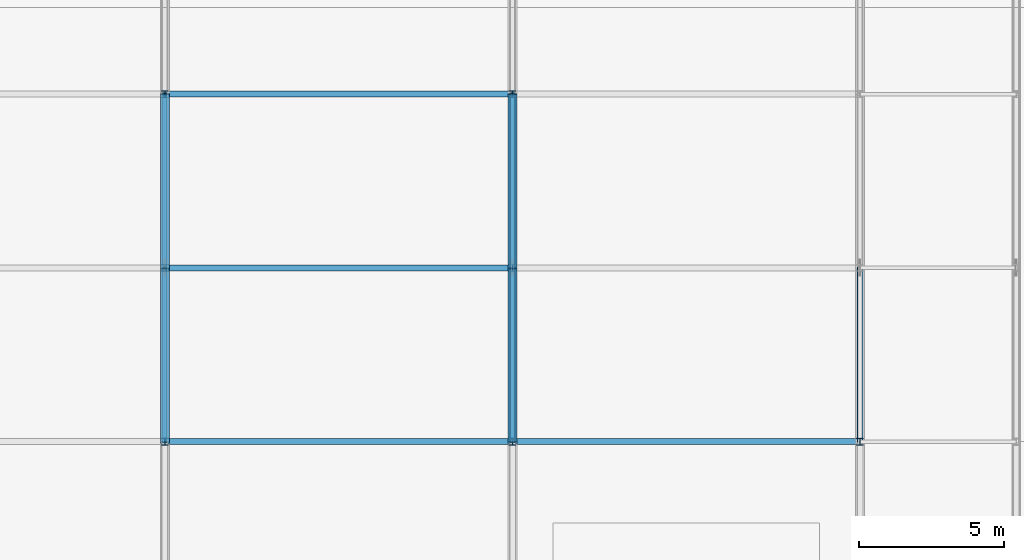
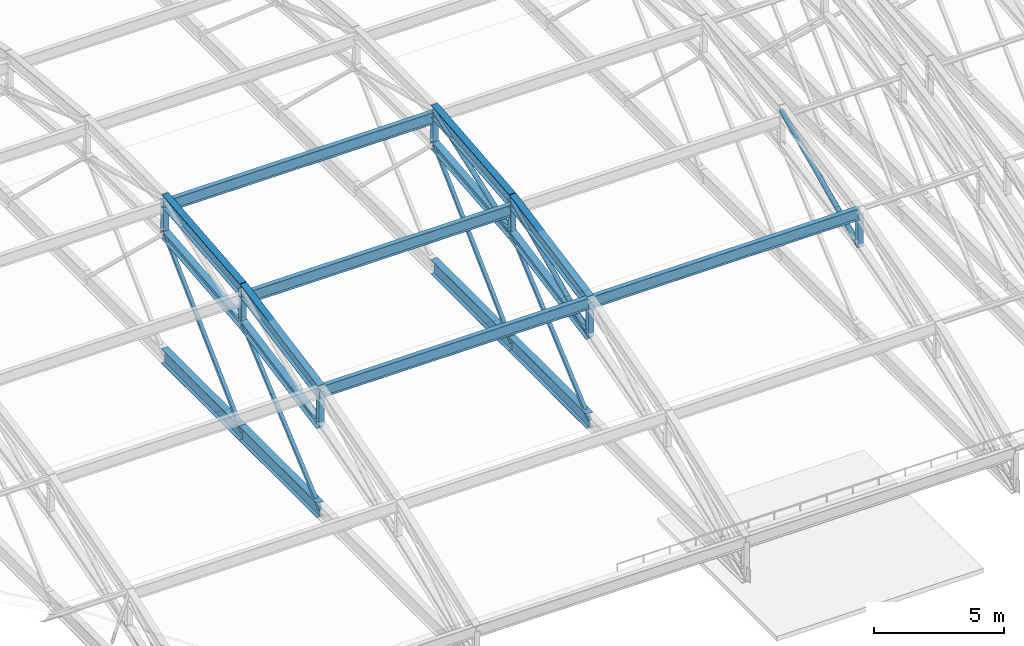
# One storey, part 86 of 204: 30 members.
"""IFC4 building model written with IfcOpenShell, lengths in metres."""

import ifcopenshell
import ifcopenshell.guid

model = None  # the IFC model being written
_history = None  # IfcOwnerHistory: only IFC2X3 demands one
_inside = {}  # id of a spatial element -> (the spatial element, [elements in it])
_under = {}  # id of a project, library or spatial element -> (it, [spatial elements below it])
_declared = {}  # id of a project -> (the project, [libraries it declares])
_typed = {}  # id of a type object -> (the type object, [elements of that type])
_made_of = {}  # id of a material, layer set ... -> (it, [elements and type objects made of it])


def new_model(schema):
    """Start an empty IFC model of exactly this schema.

    Asked for "IFC4X3", IfcOpenShell would pick the latest addendum, in which some entities
    have other attributes; the version numbers below select the first issue.
    IFC2X3 requires an IfcOwnerHistory on every rooted entity: one is made here for all.
    """
    global model, _history
    if schema == "IFC4X3":
        model = ifcopenshell.file(schema_version=(4, 3, 0, 0))
    else:
        model = ifcopenshell.file(schema=schema)
    _inside.clear()
    _under.clear()
    _declared.clear()
    _typed.clear()
    _made_of.clear()
    _history = None
    if model.schema == "IFC2X3":
        org = make("IfcOrganization", Name="unknown")
        user = make(
            "IfcPersonAndOrganization",
            ThePerson=make("IfcPerson", FamilyName="unknown"),
            TheOrganization=org,
        )
        app = make(
            "IfcApplication",
            ApplicationDeveloper=org,
            Version="unknown",
            ApplicationFullName="unknown",
            ApplicationIdentifier="unknown",
        )
        _history = make(
            "IfcOwnerHistory",
            OwningUser=user,
            OwningApplication=app,
            ChangeAction="ADDED",
            CreationDate=0,
        )
    return model


def make(cls, **values):
    """One entity of the class cls with the attributes given. An attribute that is None is left unset."""
    return model.create_entity(
        cls, **{name: value for name, value in values.items() if value is not None}
    )


def rooted(cls, **values):
    """An entity with a GlobalId (a new one), such as an element, a storey or a relation."""
    return make(cls, GlobalId=ifcopenshell.guid.new(), OwnerHistory=_history, **values)


def si_unit(unit_type, name, prefix=None):
    """IfcSIUnit, for example si_unit("LENGTHUNIT", "METRE", prefix="MILLI")."""
    return make("IfcSIUnit", UnitType=unit_type, Prefix=prefix, Name=name)


def assignment(units):
    """IfcUnitAssignment: the units of a project."""
    return None if units is None else make("IfcUnitAssignment", Units=units)


def point(xyz):
    """IfcCartesianPoint."""
    return None if xyz is None else make("IfcCartesianPoint", Coordinates=xyz)


def direction(xyz):
    """IfcDirection."""
    return None if xyz is None else make("IfcDirection", DirectionRatios=xyz)


def frame(location, z_axis=None, x_axis=None):
    """IfcAxis2Placement3D, a coordinate frame: its origin and axes. An axis left out is left unset."""
    return make(
        "IfcAxis2Placement3D",
        Location=point(location),
        Axis=direction(z_axis),
        RefDirection=direction(x_axis),
    )


def frame_2d(location, x_axis=None):
    """IfcAxis2Placement2D, a coordinate frame in the plane: its origin and x axis."""
    return make(
        "IfcAxis2Placement2D", Location=point(location), RefDirection=direction(x_axis)
    )


def origin():
    """The frame at (0, 0, 0) with its axes left unset."""
    return frame((0.0, 0.0, 0.0))


def origin_2d():
    """The frame at (0, 0) in the plane with its x axis left unset."""
    return frame_2d((0.0, 0.0))


def place(relative_to, where):
    """IfcLocalPlacement: puts the frame where relative to a parent placement (None: the world)."""
    return make(
        "IfcLocalPlacement", PlacementRelTo=relative_to, RelativePlacement=where
    )


def context(
    kind, dimensions, precision=None, world=None, true_north=None, identifier=None
):
    """IfcGeometricRepresentationContext, for example the 3D "Model" context."""
    return make(
        "IfcGeometricRepresentationContext",
        ContextIdentifier=identifier,
        ContextType=kind,
        CoordinateSpaceDimension=dimensions,
        Precision=precision,
        WorldCoordinateSystem=world,
        TrueNorth=true_north,
    )


def subcontext(parent, identifier, kind, view, scale=None):
    """IfcGeometricRepresentationSubContext, for example "Body" below "Model"."""
    return make(
        "IfcGeometricRepresentationSubContext",
        ContextIdentifier=identifier,
        ContextType=kind,
        ParentContext=parent,
        TargetScale=scale,
        TargetView=view,
    )


def project(units=None, contexts=None):
    """IfcProject with its units and contexts."""
    return rooted(
        "IfcProject",
        Name="project",
        RepresentationContexts=contexts,
        UnitsInContext=assignment(units),
    )


def spatial(cls, under=None, at=None, **own):
    """A site, building, storey or space (cls), placed at a placement, below another one or the project."""
    s = rooted(cls, ObjectPlacement=at, **own)
    if under is not None:
        _under.setdefault(under.id(), (under, []))[1].append(s)
    return s


def profile(cls, at=None, kind="AREA", **sizes):
    """A parametric profile (cls). Its sizes go by their IFC names, for example OverallWidth=200.0."""
    return make(cls, ProfileType=kind, Position=at, **sizes)


def hollow_rectangle(**sizes):
    """IfcRectangleHollowProfileDef."""
    return profile("IfcRectangleHollowProfileDef", **sizes)


def hollow_circle(**sizes):
    """IfcCircleHollowProfileDef."""
    return profile("IfcCircleHollowProfileDef", **sizes)


def i_section(**sizes):
    """IfcIShapeProfileDef."""
    return profile("IfcIShapeProfileDef", **sizes)


def extrude(swept, where, along, depth):
    """IfcExtrudedAreaSolid: the profile swept, set in the frame where, extruded along a direction by depth."""
    return make(
        "IfcExtrudedAreaSolid",
        SweptArea=swept,
        Position=where,
        ExtrudedDirection=direction(along),
        Depth=depth,
    )


def shape(context_of_items, identifier, shape_type, items):
    """IfcShapeRepresentation: the items that make up one representation, for example the "Body"."""
    return make(
        "IfcShapeRepresentation",
        ContextOfItems=context_of_items,
        RepresentationIdentifier=identifier,
        RepresentationType=shape_type,
        Items=items,
    )


def material(Name=None, Category=None):
    """IfcMaterial."""
    return make("IfcMaterial", Name=Name, Category=Category)


def material_profile(
    of_material, cross_section, Name=None, Category=None, Priority=None
):
    """IfcMaterialProfile: a cross section and its material."""
    return make(
        "IfcMaterialProfile",
        Name=Name,
        Material=of_material,
        Profile=cross_section,
        Priority=Priority,
        Category=Category,
    )


def profile_set(profiles, Name=None, composite=None):
    """IfcMaterialProfileSet."""
    return make(
        "IfcMaterialProfileSet",
        Name=Name,
        MaterialProfiles=profiles,
        CompositeProfile=composite,
    )


def made_of(thing, what):
    """Note that an element or type object is made of a material, layer set ...; save() writes the relation."""
    if what is not None:
        _made_of.setdefault(what.id(), (what, []))[1].append(thing)
    return thing


def type_object(cls, material=None, **own):
    """A type object (cls), such as IfcWallType, which elements share."""
    return made_of(rooted(cls, **own), material)


def element(
    cls,
    number,
    at=None,
    inside=None,
    cuts=None,
    type_object=None,
    material=None,
    context=None,
    identifier="Body",
    shape_type=None,
    held_by="IfcProductDefinitionShape",
    body=None,
    shapes=None,
    **own,
):
    """One element of the class cls, such as IfcWall. Its Tag is "e" and its number.

    at: its placement. inside: the storey or other place that contains it. cuts: it is an
    opening in that element (IfcRelVoidsElement). A single representation is given by context,
    identifier, shape_type and body (its items); several are given by shapes. held_by: the class
    of the entity that holds the representations. save() writes the other relations.
    """
    e = rooted(cls, Tag="e%d" % number, ObjectPlacement=at, **own)
    if body is not None:
        shapes = [shape(context, identifier, shape_type, body)]
    if shapes is not None:
        e.Representation = make(held_by, Representations=shapes)
    if inside is not None:
        _inside.setdefault(inside.id(), (inside, []))[1].append(e)
    if cuts is not None:
        rooted(
            "IfcRelVoidsElement", RelatingBuildingElement=cuts, RelatedOpeningElement=e
        )
    if type_object is not None:
        _typed.setdefault(type_object.id(), (type_object, []))[1].append(e)
    return made_of(e, material)


def aggregate(whole, parts):
    """IfcRelAggregates: a whole, such as a stair, and the parts it consists of."""
    return rooted("IfcRelAggregates", RelatingObject=whole, RelatedObjects=parts)


def save(model, path):
    """Write the relations noted so far, then the file.

    IfcRelAggregates (storeys below a building ...), IfcRelContainedInSpatialStructure (elements
    in a storey), IfcRelDefinesByType, IfcRelAssociatesMaterial and IfcRelDeclares: one each for
    every whole, place, type object, material and project.
    """
    for whole, parts in _under.values():
        aggregate(whole, parts)
    for where, things in _inside.values():
        rooted(
            "IfcRelContainedInSpatialStructure",
            RelatedElements=things,
            RelatingStructure=where,
        )
    for kind, things in _typed.values():
        rooted("IfcRelDefinesByType", RelatedObjects=things, RelatingType=kind)
    for what, things in _made_of.values():
        rooted("IfcRelAssociatesMaterial", RelatedObjects=things, RelatingMaterial=what)
    for by, libraries in _declared.values():
        rooted("IfcRelDeclares", RelatingContext=by, RelatedDefinitions=libraries)
    model.write(path)


model = new_model("IFC4")

# Units and contexts
model_context = context("Model", 3, precision=1e-05, world=origin(), true_north=direction((0.0, 1.0)))
body_context = subcontext(model_context, "Body", "Model", "MODEL_VIEW")
ifc_project = project(units=[si_unit("LENGTHUNIT", "METRE"), si_unit("AREAUNIT", "SQUARE_METRE"), si_unit("VOLUMEUNIT", "CUBIC_METRE"), si_unit("PLANEANGLEUNIT", "RADIAN"), si_unit("MASSUNIT", "GRAM", prefix="KILO")], contexts=[model_context])

# Site, building, storey
site_placement = place(None, origin())
site = spatial("IfcSite", under=ifc_project, at=site_placement, CompositionType="ELEMENT")
building_placement = place(site_placement, origin())
building = spatial("IfcBuilding", under=site, at=building_placement, Name="Zilviju Railside Exhibition Hall", CompositionType="ELEMENT")
storey_placement = place(building_placement, frame((0.0, 0.0, 21.0)))
storey = spatial("IfcBuildingStorey", under=building, at=storey_placement, Name="RF", CompositionType="ELEMENT", Elevation=21.0)

# Members
ifc_material = material(Name="Steel S355J2", Category="steel")
ifc_material_profile_1 = material_profile(ifc_material, hollow_circle(Radius=0.109619140625, WallThickness=0.010009765625, at=origin_2d()), Name="CHS 219.1x10.0")
ifc_profile_set_1 = profile_set([ifc_material_profile_1], Name="Steel S355J2")
member_type_1 = type_object("IfcMemberType", Name="TR-BR-CHS219", PredefinedType="BRACE", material=ifc_profile_set_1)
member_1_placement = place(storey_placement, frame((108.0, 96.0, 0.409912109375), z_axis=(0.0, 0.909316915895, 0.416104249518), x_axis=(-1.0, 0.0, 0.0)))
element("IfcMember", 1, at=member_1_placement, inside=storey, type_object=member_type_1, Name="V2 Parabolic Arch Web Diagonal X=108.0 P3", PredefinedType="BRACE", context=body_context, shape_type="SweptSolid", body=[
    extrude(hollow_circle(Radius=0.109619140625, WallThickness=0.010009765625, at=origin_2d()), origin(), (0.0, 0.0, 1.0), 6.598388671875),
])
member_2_placement = place(storey_placement, frame((108.0, 102.0, 1.5556640625), z_axis=(0.0, 0.940243888255, 0.340501733621), x_axis=(-1.0, 0.0, 0.0)))
element("IfcMember", 2, at=member_2_placement, inside=storey, type_object=member_type_1, Name="V2 Parabolic Arch Web Diagonal X=108.0 P4", PredefinedType="BRACE", context=body_context, shape_type="SweptSolid", body=[
    extrude(hollow_circle(Radius=0.109619140625, WallThickness=0.010009765625, at=origin_2d()), origin(), (0.0, 0.0, 1.0), 6.38134765625),
])
member_3_placement = place(storey_placement, frame((120.0, 96.0, 0.409912109375), z_axis=(0.0, 0.909316915895, 0.416104249518), x_axis=(-1.0, 0.0, 0.0)))
element("IfcMember", 3, at=member_3_placement, inside=storey, type_object=member_type_1, Name="V2 Parabolic Arch Web Diagonal X=120.0 P3", PredefinedType="BRACE", context=body_context, shape_type="SweptSolid", body=[
    extrude(hollow_circle(Radius=0.109619140625, WallThickness=0.010009765625, at=origin_2d()), origin(), (0.0, 0.0, 1.0), 6.598388671875),
])
ifc_material_profile_2 = material_profile(ifc_material, i_section(OverallWidth=0.300048828125, OverallDepth=0.39990234375, WebThickness=0.013427734375, FlangeThickness=0.02392578125, at=origin_2d()), Name="HEB 400")
ifc_profile_set_2 = profile_set([ifc_material_profile_2], Name="Steel S355J2")
member_type_2 = type_object("IfcMemberType", Name="TR-CH-HEB400", PredefinedType="CHORD", material=ifc_profile_set_2)
member_4_placement = place(storey_placement, frame((96.0, 96.0, 0.409912109375), z_axis=(0.0, 0.98225135267, 0.187569400964), x_axis=(-1.0, 0.0, 0.0)))
element("IfcMember", 4, at=member_4_placement, inside=storey, type_object=member_type_2, Name="V2 Parabolic Arch Bottom Chord X=96.0 P3", PredefinedType="CHORD", context=body_context, shape_type="SweptSolid", body=[
    extrude(i_section(OverallWidth=0.300048828125, OverallDepth=0.39990234375, WebThickness=0.013427734375, FlangeThickness=0.02392578125, at=origin_2d()), origin(), (0.0, 0.0, 1.0), 6.1083984375),
])
member_5_placement = place(storey_placement, frame((96.0, 102.0, 1.5556640625), z_axis=(0.0, 0.995474695123, 0.095027003367), x_axis=(-1.0, 0.0, 0.0)))
element("IfcMember", 5, at=member_5_placement, inside=storey, type_object=member_type_2, Name="V2 Parabolic Arch Bottom Chord X=96.0 P4", PredefinedType="CHORD", context=body_context, shape_type="SweptSolid", body=[
    extrude(i_section(OverallWidth=0.300048828125, OverallDepth=0.39990234375, WebThickness=0.013427734375, FlangeThickness=0.02392578125, at=origin_2d()), origin(), (0.0, 0.0, 1.0), 6.02734375),
])
member_6_placement = place(storey_placement, frame((108.0, 96.0, 0.409912109375), z_axis=(0.0, 0.98225135267, 0.187569400964), x_axis=(-1.0, 0.0, 0.0)))
element("IfcMember", 6, at=member_6_placement, inside=storey, type_object=member_type_2, Name="V2 Parabolic Arch Bottom Chord X=108.0 P3", PredefinedType="CHORD", context=body_context, shape_type="SweptSolid", body=[
    extrude(i_section(OverallWidth=0.300048828125, OverallDepth=0.39990234375, WebThickness=0.013427734375, FlangeThickness=0.02392578125, at=origin_2d()), origin(), (0.0, 0.0, 1.0), 6.1083984375),
])
member_7_placement = place(storey_placement, frame((108.0, 102.0, 1.5556640625), z_axis=(0.0, 0.995474695123, 0.095027003367), x_axis=(-1.0, 0.0, 0.0)))
element("IfcMember", 7, at=member_7_placement, inside=storey, type_object=member_type_2, Name="V2 Parabolic Arch Bottom Chord X=108.0 P4", PredefinedType="CHORD", context=body_context, shape_type="SweptSolid", body=[
    extrude(i_section(OverallWidth=0.300048828125, OverallDepth=0.39990234375, WebThickness=0.013427734375, FlangeThickness=0.02392578125, at=origin_2d()), origin(), (0.0, 0.0, 1.0), 6.02734375),
])
ifc_material_profile_3 = material_profile(ifc_material, i_section(OverallWidth=0.300048828125, OverallDepth=0.60009765625, WebThickness=0.015380859375, FlangeThickness=0.030029296875, at=origin_2d()), Name="HEB 600")
ifc_profile_set_3 = profile_set([ifc_material_profile_3], Name="Steel S355J2")
member_type_3 = type_object("IfcMemberType", Name="TR-CH-HEB600", PredefinedType="CHORD", material=ifc_profile_set_3)
member_8_placement = place(storey_placement, frame((96.0, 96.0, 2.009765625), z_axis=(0.0, 0.98225135267, 0.187569400964), x_axis=(-1.0, 0.0, 0.0)))
element("IfcMember", 8, at=member_8_placement, inside=storey, type_object=member_type_3, Name="V2 Parabolic Arch Top Chord X=96.0 P3", PredefinedType="CHORD", context=body_context, shape_type="SweptSolid", body=[
    extrude(i_section(OverallWidth=0.300048828125, OverallDepth=0.60009765625, WebThickness=0.015380859375, FlangeThickness=0.030029296875, at=origin_2d()), origin(), (0.0, 0.0, 1.0), 6.1083984375),
])
member_9_placement = place(storey_placement, frame((96.0, 102.0, 3.155517578125), z_axis=(0.0, 0.995470862587, 0.095067143331), x_axis=(-1.0, 0.0, 0.0)))
element("IfcMember", 9, at=member_9_placement, inside=storey, type_object=member_type_3, Name="V2 Parabolic Arch Top Chord X=96.0 P4", PredefinedType="CHORD", context=body_context, shape_type="SweptSolid", body=[
    extrude(i_section(OverallWidth=0.300048828125, OverallDepth=0.60009765625, WebThickness=0.015380859375, FlangeThickness=0.030029296875, at=origin_2d()), origin(), (0.0, 0.0, 1.0), 6.02734375),
])
member_10_placement = place(storey_placement, frame((108.0, 96.0, 2.009765625), z_axis=(0.0, 0.98225135267, 0.187569400964), x_axis=(-1.0, 0.0, 0.0)))
element("IfcMember", 10, at=member_10_placement, inside=storey, type_object=member_type_3, Name="V2 Parabolic Arch Top Chord X=108.0 P3", PredefinedType="CHORD", context=body_context, shape_type="SweptSolid", body=[
    extrude(i_section(OverallWidth=0.300048828125, OverallDepth=0.60009765625, WebThickness=0.015380859375, FlangeThickness=0.030029296875, at=origin_2d()), origin(), (0.0, 0.0, 1.0), 6.1083984375),
])
member_11_placement = place(storey_placement, frame((108.0, 102.0, 3.155517578125), z_axis=(0.0, 0.995470862587, 0.095067143331), x_axis=(-1.0, 0.0, 0.0)))
element("IfcMember", 11, at=member_11_placement, inside=storey, type_object=member_type_3, Name="V2 Parabolic Arch Top Chord X=108.0 P4", PredefinedType="CHORD", context=body_context, shape_type="SweptSolid", body=[
    extrude(i_section(OverallWidth=0.300048828125, OverallDepth=0.60009765625, WebThickness=0.015380859375, FlangeThickness=0.030029296875, at=origin_2d()), origin(), (0.0, 0.0, 1.0), 6.02734375),
])
ifc_material_profile_4 = material_profile(ifc_material, i_section(OverallWidth=0.239990234375, OverallDepth=0.22998046875, WebThickness=0.007568359375, FlangeThickness=0.011962890625, at=origin_2d()), Name="HEA 240")
ifc_profile_set_4 = profile_set([ifc_material_profile_4], Name="Steel S355J2")
member_type_4 = type_object("IfcMemberType", Name="TR-POST-HEA240", PredefinedType="POST", material=ifc_profile_set_4)
for number, where, z_axis, x_axis, name in (
    (12, (96.0, 96.0, 0.409912109375), (0.0, 0.0, 1.0), (1.0, 0.0, 0.0), "V2 Parabolic Arch Web Post X=96.0 N2"),
    (13, (96.0, 102.0, 1.5556640625), (0.0, 0.0, 1.0), (1.0, 0.0, 0.0), "V2 Parabolic Arch Web Post X=96.0 N3"),
):
    element("IfcMember", number, at=place(storey_placement, frame(where, z_axis=z_axis, x_axis=x_axis)), inside=storey, type_object=member_type_4, Name=name, PredefinedType="POST", context=body_context, shape_type="SweptSolid", body=[
        extrude(i_section(OverallWidth=0.239990234375, OverallDepth=0.22998046875, WebThickness=0.007568359375, FlangeThickness=0.011962890625, at=origin_2d()), origin(), (0.0, 0.0, 1.0), 1.599853515625),
    ])
member_12_placement = place(storey_placement, frame((96.0, 108.0, 2.12841796875), z_axis=(0.0, 0.0, 1.0), x_axis=(1.0, 0.0, 0.0)))
element("IfcMember", 14, at=member_12_placement, inside=storey, type_object=member_type_4, Name="V2 Parabolic Arch Web Post X=96.0 N4", PredefinedType="POST", context=body_context, shape_type="SweptSolid", body=[
    extrude(i_section(OverallWidth=0.239990234375, OverallDepth=0.22998046875, WebThickness=0.007568359375, FlangeThickness=0.011962890625, at=origin_2d()), origin(), (0.0, 0.0, 1.0), 1.60009765625),
])
for number, where, z_axis, x_axis, name in (
    (15, (108.0, 96.0, 0.409912109375), (0.0, 0.0, 1.0), (1.0, 0.0, 0.0), "V2 Parabolic Arch Web Post X=108.0 N2"),
    (16, (108.0, 102.0, 1.5556640625), (0.0, 0.0, 1.0), (1.0, 0.0, 0.0), "V2 Parabolic Arch Web Post X=108.0 N3"),
):
    element("IfcMember", number, at=place(storey_placement, frame(where, z_axis=z_axis, x_axis=x_axis)), inside=storey, type_object=member_type_4, Name=name, PredefinedType="POST", context=body_context, shape_type="SweptSolid", body=[
        extrude(i_section(OverallWidth=0.239990234375, OverallDepth=0.22998046875, WebThickness=0.007568359375, FlangeThickness=0.011962890625, at=origin_2d()), origin(), (0.0, 0.0, 1.0), 1.599853515625),
    ])
member_13_placement = place(storey_placement, frame((108.0, 108.0, 2.12841796875), z_axis=(0.0, 0.0, 1.0), x_axis=(1.0, 0.0, 0.0)))
element("IfcMember", 17, at=member_13_placement, inside=storey, type_object=member_type_4, Name="V2 Parabolic Arch Web Post X=108.0 N4", PredefinedType="POST", context=body_context, shape_type="SweptSolid", body=[
    extrude(i_section(OverallWidth=0.239990234375, OverallDepth=0.22998046875, WebThickness=0.007568359375, FlangeThickness=0.011962890625, at=origin_2d()), origin(), (0.0, 0.0, 1.0), 1.60009765625),
])
member_14_placement = place(storey_placement, frame((120.0, 96.0, 0.409912109375), z_axis=(0.0, 0.0, 1.0), x_axis=(1.0, 0.0, 0.0)))
element("IfcMember", 18, at=member_14_placement, inside=storey, type_object=member_type_4, Name="V2 Parabolic Arch Web Post X=120.0 N2", PredefinedType="POST", context=body_context, shape_type="SweptSolid", body=[
    extrude(i_section(OverallWidth=0.239990234375, OverallDepth=0.22998046875, WebThickness=0.007568359375, FlangeThickness=0.011962890625, at=origin_2d()), origin(), (0.0, 0.0, 1.0), 1.599853515625),
])
ifc_material_profile_5 = material_profile(ifc_material, hollow_rectangle(XDim=0.14990234375, YDim=0.14990234375, WallThickness=0.008056640625, at=origin_2d()), Name="SHS 150x150x8.0")
ifc_profile_set_5 = profile_set([ifc_material_profile_5], Name="Steel S355J2")
member_type_5 = type_object("IfcMemberType", Name="TR-POST-SHS150", PredefinedType="POST", material=ifc_profile_set_5)
member_15_placement = place(storey_placement, frame((96.0, 96.0, -3.60009765625), z_axis=(0.0, 0.758449992634, 0.651731239602), x_axis=(-1.0, 0.0, 0.0)))
element("IfcMember", 19, at=member_15_placement, inside=storey, type_object=member_type_5, Name="V2 Arch Tie Hanger X=96.0 N2", PredefinedType="POST", context=body_context, shape_type="SweptSolid", body=[
    extrude(hollow_rectangle(XDim=0.14990234375, YDim=0.14990234375, WallThickness=0.008056640625, at=origin_2d()), origin(), (0.0, 0.0, 1.0), 7.910888671875),
])
member_16_placement = place(storey_placement, frame((96.0, 102.0, -3.60009765625), z_axis=(0.0, 0.723280707221, 0.690554138763), x_axis=(-1.0, 0.0, 0.0)))
element("IfcMember", 20, at=member_16_placement, inside=storey, type_object=member_type_5, Name="V2 Arch Tie Hanger X=96.0 N3", PredefinedType="POST", context=body_context, shape_type="SweptSolid", body=[
    extrude(hollow_rectangle(XDim=0.14990234375, YDim=0.14990234375, WallThickness=0.008056640625, at=origin_2d()), origin(), (0.0, 0.0, 1.0), 8.295654296875),
])
member_17_placement = place(storey_placement, frame((108.0, 96.0, -3.60009765625), z_axis=(0.0, 0.758449992634, 0.651731239602), x_axis=(-1.0, 0.0, 0.0)))
element("IfcMember", 21, at=member_17_placement, inside=storey, type_object=member_type_5, Name="V2 Arch Tie Hanger X=108.0 N2", PredefinedType="POST", context=body_context, shape_type="SweptSolid", body=[
    extrude(hollow_rectangle(XDim=0.14990234375, YDim=0.14990234375, WallThickness=0.008056640625, at=origin_2d()), origin(), (0.0, 0.0, 1.0), 7.910888671875),
])
member_18_placement = place(storey_placement, frame((108.0, 102.0, -3.60009765625), z_axis=(0.0, 0.723280707221, 0.690554138763), x_axis=(-1.0, 0.0, 0.0)))
element("IfcMember", 22, at=member_18_placement, inside=storey, type_object=member_type_5, Name="V2 Arch Tie Hanger X=108.0 N3", PredefinedType="POST", context=body_context, shape_type="SweptSolid", body=[
    extrude(hollow_rectangle(XDim=0.14990234375, YDim=0.14990234375, WallThickness=0.008056640625, at=origin_2d()), origin(), (0.0, 0.0, 1.0), 8.295654296875),
])
ifc_material_profile_6 = material_profile(ifc_material, i_section(OverallWidth=0.2099609375, OverallDepth=0.550048828125, WebThickness=0.010986328125, FlangeThickness=0.01708984375, at=origin_2d()), Name="IPE 550")
ifc_profile_set_6 = profile_set([ifc_material_profile_6], Name="Steel S355J2")
member_type_6 = type_object("IfcMemberType", Name="TR-PUR-IPE550", PredefinedType="PURLIN", material=ifc_profile_set_6)
for number, where, z_axis, x_axis, name in (
    (23, (96.0, 96.0, 1.97509765625), (1.0, 0.0, 0.0), (0.0, 1.0, 0.0), "V2 Barrel Vault Roof Purlin Y=96.0 (96.0..108.0)"),
    (24, (96.0, 102.0, 2.716796875), (1.0, 0.0, 0.0), (0.0, 1.0, 0.0), "V2 Barrel Vault Roof Purlin Y=102.0 (96.0..108.0)"),
    (25, (96.0, 108.0, 3.4326171875), (1.0, 0.0, 0.0), (0.0, 1.0, 0.0), "V2 Barrel Vault Roof Purlin Y=108.0 (96.0..108.0)"),
    (26, (108.0, 96.0, 1.97509765625), (1.0, 0.0, 0.0), (0.0, 1.0, 0.0), "V2 Barrel Vault Roof Purlin Y=96.0 (108.0..120.0)"),
):
    element("IfcMember", number, at=place(storey_placement, frame(where, z_axis=z_axis, x_axis=x_axis)), inside=storey, type_object=member_type_6, Name=name, PredefinedType="PURLIN", context=body_context, shape_type="SweptSolid", body=[
        extrude(i_section(OverallWidth=0.2099609375, OverallDepth=0.550048828125, WebThickness=0.010986328125, FlangeThickness=0.01708984375, at=origin_2d()), origin(), (0.0, 0.0, 1.0), 12.0),
    ])
ifc_material_profile_7 = material_profile(ifc_material, i_section(OverallWidth=0.300048828125, OverallDepth=0.699951171875, WebThickness=0.01708984375, FlangeThickness=0.031982421875, at=origin_2d()), Name="HEB 700")
ifc_profile_set_7 = profile_set([ifc_material_profile_7], Name="Steel S355J2")
member_type_7 = type_object("IfcMemberType", Name="TR-TIE-HEB700", PredefinedType="CHORD", material=ifc_profile_set_7)
for number, where, z_axis, x_axis, name in (
    (27, (96.0, 96.0, -3.60009765625), (0.0, 1.0, 0.0), (-1.0, 0.0, 0.0), "V2 Arch Tie Member X=96.0"),
    (28, (96.0, 102.0, -3.60009765625), (0.0, 1.0, 0.0), (-1.0, 0.0, 0.0), "V2 Arch Tie Member X=96.0"),
    (29, (108.0, 96.0, -3.60009765625), (0.0, 1.0, 0.0), (-1.0, 0.0, 0.0), "V2 Arch Tie Member X=108.0"),
    (30, (108.0, 102.0, -3.60009765625), (0.0, 1.0, 0.0), (-1.0, 0.0, 0.0), "V2 Arch Tie Member X=108.0"),
):
    element("IfcMember", number, at=place(storey_placement, frame(where, z_axis=z_axis, x_axis=x_axis)), inside=storey, type_object=member_type_7, Name=name, PredefinedType="CHORD", context=body_context, shape_type="SweptSolid", body=[
        extrude(i_section(OverallWidth=0.300048828125, OverallDepth=0.699951171875, WebThickness=0.01708984375, FlangeThickness=0.031982421875, at=origin_2d()), origin(), (0.0, 0.0, 1.0), 6.0),
    ])

save(model, "model.ifc")
